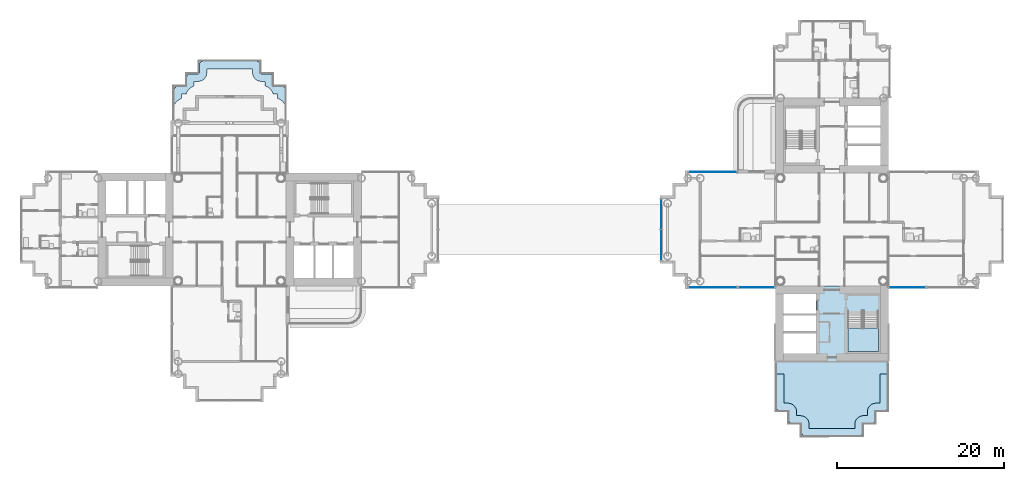
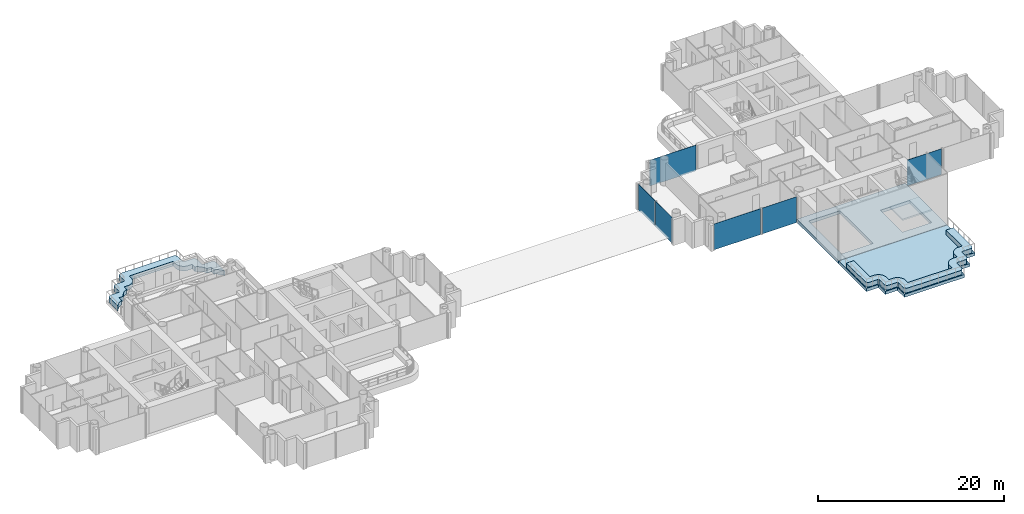
# One storey, part 8 of 22: 6 plates, 5 slabs, 6 elements without a shape of their own.
"""IFC4 building model written with IfcOpenShell, lengths in metres."""

from ifc_helpers import new_model, si_unit, direction, frame, origin, origin_2d, place, context, subcontext, project, spatial, polyline, rectangle, outline, extrude, material, layer, layer_set, type_object, element, aggregate, save


model = new_model("IFC4")

# Units and contexts
model_context = context("Model", 3, precision=1e-05, world=origin(), true_north=direction((0.0, 1.0)))
body_context = subcontext(model_context, "Body", "Model", "MODEL_VIEW")
ifc_project = project(units=[si_unit("LENGTHUNIT", "METRE"), si_unit("AREAUNIT", "SQUARE_METRE"), si_unit("VOLUMEUNIT", "CUBIC_METRE"), si_unit("PLANEANGLEUNIT", "RADIAN"), si_unit("MASSUNIT", "GRAM", prefix="KILO")], contexts=[model_context])

# Site, building, storey
site_placement = place(None, origin())
site = spatial("IfcSite", under=ifc_project, at=site_placement, CompositionType="ELEMENT")
building_placement = place(site_placement, origin())
building = spatial("IfcBuilding", under=site, at=building_placement, Name="Ipe Terrace Towers", CompositionType="ELEMENT")
storey_placement = place(building_placement, frame((0.0, 0.0, 76.60009765625)))
storey = spatial("IfcBuildingStorey", under=building, at=storey_placement, Name="L20", CompositionType="ELEMENT", Elevation=76.60009765625)

# Slab
ifc_material_1 = material(Name="Concrete C30/37", Category="concrete")
ifc_layer_1 = layer(ifc_material_1, 0.39990234375)
ifc_layer_set_1 = layer_set([ifc_layer_1], Name="CORE FLOOR SLAB 400 C30-37")
slab_type_1 = type_object("IfcSlabType", Name="CORE FLOOR SLAB 400 C30-37", PredefinedType="FLOOR", material=ifc_layer_set_1)
slab_1_placement = place(storey_placement, frame((0.0, 0.0, -0.400146484375)))
element("IfcSlab", 1, at=slab_1_placement, inside=storey, type_object=slab_type_1, Name="Core floor T2-C2", PredefinedType="FLOOR", context=body_context, shape_type="SweptSolid", body=[
    extrude(outline(polyline([(29.25, -15.75), (29.25, -6.75), (42.75, -6.75), (42.75, -15.75), (29.25, -15.75)]), holes=[polyline([(34.10009765625, -14.800048828125), (34.10009765625, -7.699951171875), (30.199951171875, -7.699951171875), (30.199951171875, -14.800048828125), (34.10009765625, -14.800048828125)]), polyline([(41.550048828125, -9.800048828125), (37.89990234375, -9.800048828125), (37.89990234375, -14.550048828125), (41.550048828125, -14.550048828125), (41.550048828125, -9.800048828125)])]), origin(), (0.0, 0.0, 1.0), 0.400146484375),
])

# Stair, slab
ifc_material_2 = material(Name="Concrete C30/37", Category="concrete")
stair_type = type_object("IfcStairType", Name="Protected exit stair", PredefinedType="HALF_TURN_STAIR", material=ifc_material_2)
stair_placement = place(storey_placement, origin())
stair = element("IfcStair", 2, at=stair_placement, inside=storey, type_object=stair_type, Name="L20 Exit stair T2-C2", PredefinedType="HALF_TURN_STAIR")
ifc_material_3 = material(Name="Concrete C30/37", Category="concrete")
ifc_layer_2 = layer(ifc_material_3, 0.199951171875)
ifc_layer_set_2 = layer_set([ifc_layer_2], Name="Exit stair landing 200")
slab_type_2 = type_object("IfcSlabType", Name="Exit stair landing 200", PredefinedType="LANDING", material=ifc_layer_set_2)
slab_2_placement = place(storey_placement, frame((0.0, 0.0, 1.5)))
slab_2 = element("IfcSlab", 3, at=slab_2_placement, type_object=slab_type_2, Name="T2-ST2 landing 1", PredefinedType="LANDING", context=body_context, shape_type="SweptSolid", body=[
    extrude(outline(polyline([(37.89990234375, -11.780029296875), (37.89990234375, -14.550048828125), (41.550048828125, -14.550048828125), (41.550048828125, -11.780029296875), (37.89990234375, -11.780029296875)])), origin(), (0.0, 0.0, 1.0), 0.199951171875),
])
aggregate(stair, [slab_2])

# Slabs
ifc_material_4 = material(Name="Concrete C40/50", Category="concrete")
ifc_layer_3 = layer(ifc_material_4, 0.39990234375)
ifc_layer_set_3 = layer_set([ifc_layer_3], Name="TERRACE DECK SLAB 400 C40-50")
slab_type_3 = type_object("IfcSlabType", Name="TERRACE DECK SLAB 400 C40-50", PredefinedType="FLOOR", material=ifc_layer_set_3)
slab_3_placement = place(storey_placement, frame((0.0, 0.0, -0.420166015625)))
element("IfcSlab", 4, at=slab_3_placement, inside=storey, type_object=slab_type_3, Name="Slab T2-TD-L20-1", PredefinedType="FLOOR", context=body_context, shape_type="SweptSolid", body=[
    extrude(outline(polyline([(29.2548828125, -21.7451171875), (29.2548828125, -15.7548828125), (42.7451171875, -15.7548828125), (42.7451171875, -21.7451171875), (41.2451171875, -21.7451171875), (41.2451171875, -23.2451171875), (39.7451171875, -23.2451171875), (39.7451171875, -24.7451171875), (32.2548828125, -24.7451171875), (32.2548828125, -23.2451171875), (30.7548828125, -23.2451171875), (30.7548828125, -21.7451171875), (29.2548828125, -21.7451171875)])), origin(), (0.0, 0.0, 1.0), 0.400146484375),
])
ifc_material_5 = material(Name="Concrete C30/37", Category="concrete")
ifc_layer_4 = layer(ifc_material_5, 0.60009765625)
ifc_layer_set_4 = layer_set([ifc_layer_4], Name="TERRACE PLANTING BED 900 x 600")
slab_type_4 = type_object("IfcSlabType", Name="TERRACE PLANTING BED 900 x 600", PredefinedType="USERDEFINED", material=ifc_layer_set_4)
slab_4_placement = place(storey_placement, frame((0.0, 0.0, -0.02001953125)))
element("IfcSlab", 5, at=slab_4_placement, inside=storey, type_object=slab_type_4, Name="planter", ObjectType="PLANTER", PredefinedType="USERDEFINED", context=body_context, shape_type="SweptSolid", body=[
    extrude(outline(polyline([(-41.739990234375, 16.22998046875), (-41.739990234375, 16.239990234375), (-41.72998046875, 16.239990234375), (-41.2490234375, 16.239990234375), (-41.22900390625, 16.239990234375), (-41.18603515625, 16.242919921875), (-41.154052734375, 16.33203125), (-41.091064453125, 16.467041015625), (-41.013916015625, 16.593994140625), (-40.925048828125, 16.714111328125), (-40.824951171875, 16.824951171875), (-40.714111328125, 16.925048828125), (-40.593994140625, 17.013916015625), (-40.467041015625, 17.091064453125), (-40.33203125, 17.154052734375), (-40.242919921875, 17.18603515625), (-40.239990234375, 17.22900390625), (-40.239990234375, 17.2490234375), (-40.239990234375, 17.72998046875), (-40.239990234375, 17.739990234375), (-40.22998046875, 17.739990234375), (-39.7490234375, 17.739990234375), (-39.72900390625, 17.739990234375), (-39.6708984375, 17.742919921875), (-39.632080078125, 17.7470703125), (-39.572021484375, 17.756103515625), (-39.533935546875, 17.763916015625), (-39.47607421875, 17.778076171875), (-39.43798828125, 17.7900390625), (-39.382080078125, 17.81005859375), (-39.345947265625, 17.824951171875), (-39.291015625, 17.85009765625), (-39.257080078125, 17.868896484375), (-39.205078125, 17.89990234375), (-39.173095703125, 17.9208984375), (-39.125, 17.95703125), (-39.093994140625, 17.98193359375), (-39.050048828125, 18.02197265625), (-39.02197265625, 18.050048828125), (-38.98193359375, 18.093994140625), (-38.95703125, 18.125), (-38.9208984375, 18.173095703125), (-38.89990234375, 18.205078125), (-38.868896484375, 18.257080078125), (-38.85009765625, 18.291015625), (-38.824951171875, 18.345947265625), (-38.81005859375, 18.382080078125), (-38.7900390625, 18.43798828125), (-38.778076171875, 18.47607421875), (-38.763916015625, 18.533935546875), (-38.756103515625, 18.572021484375), (-38.7470703125, 18.632080078125), (-38.742919921875, 18.6708984375), (-38.739990234375, 18.72900390625), (-38.739990234375, 18.7490234375), (-38.739990234375, 19.22998046875), (-38.739990234375, 19.239990234375), (-38.72998046875, 19.239990234375), (-33.27001953125, 19.239990234375), (-33.260009765625, 19.239990234375), (-33.260009765625, 19.22998046875), (-33.260009765625, 18.7490234375), (-33.260009765625, 18.72900390625), (-33.257080078125, 18.6708984375), (-33.2529296875, 18.632080078125), (-33.243896484375, 18.572021484375), (-33.236083984375, 18.533935546875), (-33.221923828125, 18.47607421875), (-33.2099609375, 18.43798828125), (-33.18994140625, 18.382080078125), (-33.175048828125, 18.345947265625), (-33.14990234375, 18.291015625), (-33.131103515625, 18.257080078125), (-33.10009765625, 18.205078125), (-33.0791015625, 18.173095703125), (-33.04296875, 18.125), (-33.01806640625, 18.093994140625), (-32.97802734375, 18.050048828125), (-32.949951171875, 18.02197265625), (-32.906005859375, 17.98193359375), (-32.875, 17.95703125), (-32.826904296875, 17.9208984375), (-32.794921875, 17.89990234375), (-32.742919921875, 17.868896484375), (-32.708984375, 17.85009765625), (-32.654052734375, 17.824951171875), (-32.617919921875, 17.81005859375), (-32.56201171875, 17.7900390625), (-32.52392578125, 17.778076171875), (-32.466064453125, 17.763916015625), (-32.427978515625, 17.756103515625), (-32.367919921875, 17.7470703125), (-32.3291015625, 17.742919921875), (-32.27099609375, 17.739990234375), (-32.2509765625, 17.739990234375), (-31.77001953125, 17.739990234375), (-31.760009765625, 17.739990234375), (-31.760009765625, 17.72998046875), (-31.760009765625, 17.2490234375), (-31.760009765625, 17.22900390625), (-31.757080078125, 17.18603515625), (-31.66796875, 17.154052734375), (-31.532958984375, 17.091064453125), (-31.406005859375, 17.013916015625), (-31.285888671875, 16.925048828125), (-31.175048828125, 16.824951171875), (-31.074951171875, 16.714111328125), (-30.986083984375, 16.593994140625), (-30.908935546875, 16.467041015625), (-30.845947265625, 16.33203125), (-30.81396484375, 16.242919921875), (-30.77099609375, 16.239990234375), (-30.7509765625, 16.239990234375), (-30.27001953125, 16.239990234375), (-30.260009765625, 16.239990234375), (-30.260009765625, 16.22998046875), (-30.260009765625, 15.68701171875), (-30.16796875, 15.654052734375), (-30.032958984375, 15.591064453125), (-29.906005859375, 15.513916015625), (-29.785888671875, 15.425048828125), (-29.675048828125, 15.324951171875), (-29.574951171875, 15.214111328125), (-29.486083984375, 15.093994140625), (-29.408935546875, 14.967041015625), (-29.360107421875, 14.862060546875), (-29.360107421875, 16.739990234375), (-29.362060546875, 16.779052734375), (-29.367919921875, 16.818115234375), (-29.376953125, 16.85595703125), (-29.389892578125, 16.89306640625), (-29.406982421875, 16.928955078125), (-29.427001953125, 16.9619140625), (-29.450927734375, 16.993896484375), (-29.47705078125, 17.02294921875), (-29.506103515625, 17.049072265625), (-29.5380859375, 17.072998046875), (-29.571044921875, 17.093017578125), (-29.60693359375, 17.110107421875), (-29.64404296875, 17.123046875), (-29.681884765625, 17.132080078125), (-29.720947265625, 17.137939453125), (-29.760009765625, 17.139892578125), (-30.73388671875, 17.139892578125), (-30.743896484375, 17.139892578125), (-30.7509765625, 17.14111328125), (-30.76611328125, 17.14208984375), (-30.777099609375, 17.14404296875), (-30.787109375, 17.14697265625), (-30.797119140625, 17.15087890625), (-30.805908203125, 17.156005859375), (-30.81494140625, 17.162109375), (-30.822998046875, 17.1689453125), (-30.8310546875, 17.177001953125), (-30.837890625, 17.18505859375), (-30.843994140625, 17.194091796875), (-30.84912109375, 17.202880859375), (-30.85302734375, 17.212890625), (-30.85595703125, 17.222900390625), (-30.85791015625, 17.23388671875), (-30.85888671875, 17.2490234375), (-30.860107421875, 17.256103515625), (-30.860107421875, 17.26611328125), (-30.860107421875, 18.239990234375), (-30.862060546875, 18.279052734375), (-30.867919921875, 18.318115234375), (-30.876953125, 18.35595703125), (-30.889892578125, 18.39306640625), (-30.906982421875, 18.428955078125), (-30.927001953125, 18.4619140625), (-30.950927734375, 18.493896484375), (-30.97705078125, 18.52294921875), (-31.006103515625, 18.549072265625), (-31.0380859375, 18.572998046875), (-31.071044921875, 18.593017578125), (-31.10693359375, 18.610107421875), (-31.14404296875, 18.623046875), (-31.181884765625, 18.632080078125), (-31.220947265625, 18.637939453125), (-31.260009765625, 18.639892578125), (-32.23388671875, 18.639892578125), (-32.243896484375, 18.639892578125), (-32.2509765625, 18.64111328125), (-32.26611328125, 18.64208984375), (-32.277099609375, 18.64404296875), (-32.287109375, 18.64697265625), (-32.297119140625, 18.65087890625), (-32.305908203125, 18.656005859375), (-32.31494140625, 18.662109375), (-32.322998046875, 18.6689453125), (-32.3310546875, 18.677001953125), (-32.337890625, 18.68505859375), (-32.343994140625, 18.694091796875), (-32.34912109375, 18.702880859375), (-32.35302734375, 18.712890625), (-32.35595703125, 18.722900390625), (-32.35791015625, 18.73388671875), (-32.35888671875, 18.7490234375), (-32.360107421875, 18.756103515625), (-32.360107421875, 18.76611328125), (-32.360107421875, 19.739990234375), (-32.362060546875, 19.779052734375), (-32.367919921875, 19.818115234375), (-32.376953125, 19.85595703125), (-32.389892578125, 19.89306640625), (-32.406982421875, 19.928955078125), (-32.427001953125, 19.9619140625), (-32.450927734375, 19.993896484375), (-32.47705078125, 20.02294921875), (-32.506103515625, 20.049072265625), (-32.5380859375, 20.072998046875), (-32.571044921875, 20.093017578125), (-32.60693359375, 20.110107421875), (-32.64404296875, 20.123046875), (-32.681884765625, 20.132080078125), (-32.720947265625, 20.137939453125), (-32.760009765625, 20.139892578125), (-39.239990234375, 20.139892578125), (-39.279052734375, 20.137939453125), (-39.318115234375, 20.132080078125), (-39.35595703125, 20.123046875), (-39.39306640625, 20.110107421875), (-39.428955078125, 20.093017578125), (-39.4619140625, 20.072998046875), (-39.493896484375, 20.049072265625), (-39.52294921875, 20.02294921875), (-39.549072265625, 19.993896484375), (-39.572998046875, 19.9619140625), (-39.593017578125, 19.928955078125), (-39.610107421875, 19.89306640625), (-39.623046875, 19.85595703125), (-39.632080078125, 19.818115234375), (-39.637939453125, 19.779052734375), (-39.639892578125, 19.739990234375), (-39.639892578125, 18.76611328125), (-39.639892578125, 18.756103515625), (-39.64111328125, 18.7490234375), (-39.64208984375, 18.73388671875), (-39.64404296875, 18.722900390625), (-39.64697265625, 18.712890625), (-39.65087890625, 18.702880859375), (-39.656005859375, 18.694091796875), (-39.662109375, 18.68505859375), (-39.6689453125, 18.677001953125), (-39.677001953125, 18.6689453125), (-39.68505859375, 18.662109375), (-39.694091796875, 18.656005859375), (-39.702880859375, 18.65087890625), (-39.712890625, 18.64697265625), (-39.722900390625, 18.64404296875), (-39.73388671875, 18.64208984375), (-39.7490234375, 18.64111328125), (-39.756103515625, 18.639892578125), (-39.76611328125, 18.639892578125), (-40.739990234375, 18.639892578125), (-40.779052734375, 18.637939453125), (-40.818115234375, 18.632080078125), (-40.85595703125, 18.623046875), (-40.89306640625, 18.610107421875), (-40.928955078125, 18.593017578125), (-40.9619140625, 18.572998046875), (-40.993896484375, 18.549072265625), (-41.02294921875, 18.52294921875), (-41.049072265625, 18.493896484375), (-41.072998046875, 18.4619140625), (-41.093017578125, 18.428955078125), (-41.110107421875, 18.39306640625), (-41.123046875, 18.35595703125), (-41.132080078125, 18.318115234375), (-41.137939453125, 18.279052734375), (-41.139892578125, 18.239990234375), (-41.139892578125, 17.26611328125), (-41.139892578125, 17.256103515625), (-41.14111328125, 17.2490234375), (-41.14208984375, 17.23388671875), (-41.14404296875, 17.222900390625), (-41.14697265625, 17.212890625), (-41.15087890625, 17.202880859375), (-41.156005859375, 17.194091796875), (-41.162109375, 17.18505859375), (-41.1689453125, 17.177001953125), (-41.177001953125, 17.1689453125), (-41.18505859375, 17.162109375), (-41.194091796875, 17.156005859375), (-41.202880859375, 17.15087890625), (-41.212890625, 17.14697265625), (-41.222900390625, 17.14404296875), (-41.23388671875, 17.14208984375), (-41.2490234375, 17.14111328125), (-41.256103515625, 17.139892578125), (-41.26611328125, 17.139892578125), (-42.239990234375, 17.139892578125), (-42.279052734375, 17.137939453125), (-42.318115234375, 17.132080078125), (-42.35595703125, 17.123046875), (-42.39306640625, 17.110107421875), (-42.428955078125, 17.093017578125), (-42.4619140625, 17.072998046875), (-42.493896484375, 17.049072265625), (-42.52294921875, 17.02294921875), (-42.549072265625, 16.993896484375), (-42.572998046875, 16.9619140625), (-42.593017578125, 16.928955078125), (-42.610107421875, 16.89306640625), (-42.623046875, 16.85595703125), (-42.632080078125, 16.818115234375), (-42.637939453125, 16.779052734375), (-42.639892578125, 16.739990234375), (-42.639892578125, 14.862060546875), (-42.591064453125, 14.967041015625), (-42.513916015625, 15.093994140625), (-42.425048828125, 15.214111328125), (-42.324951171875, 15.324951171875), (-42.214111328125, 15.425048828125), (-42.093994140625, 15.513916015625), (-41.967041015625, 15.591064453125), (-41.83203125, 15.654052734375), (-41.739990234375, 15.68701171875), (-41.739990234375, 16.22998046875)])), origin(), (0.0, 0.0, 1.0), 0.599853515625),
])
slab_5_placement = place(storey_placement, frame((0.0, 0.0, -0.02001953125)))
element("IfcSlab", 6, at=slab_5_placement, inside=storey, type_object=slab_type_4, Name="planter", ObjectType="PLANTER", PredefinedType="USERDEFINED", context=body_context, shape_type="SweptSolid", body=[
    extrude(outline(polyline([(30.260009765625, -20.739990234375), (30.260009765625, -20.72998046875), (30.260009765625, -17.27001953125), (29.360107421875, -17.27001953125), (29.360107421875, -21.239990234375), (29.362060546875, -21.279052734375), (29.367919921875, -21.318115234375), (29.376953125, -21.35595703125), (29.389892578125, -21.39306640625), (29.406982421875, -21.428955078125), (29.427001953125, -21.4619140625), (29.450927734375, -21.493896484375), (29.47705078125, -21.52294921875), (29.506103515625, -21.549072265625), (29.5380859375, -21.572998046875), (29.571044921875, -21.593017578125), (29.60693359375, -21.610107421875), (29.64404296875, -21.623046875), (29.681884765625, -21.632080078125), (29.720947265625, -21.637939453125), (29.760009765625, -21.639892578125), (30.73388671875, -21.639892578125), (30.743896484375, -21.639892578125), (30.7509765625, -21.64111328125), (30.76611328125, -21.64208984375), (30.777099609375, -21.64404296875), (30.787109375, -21.64697265625), (30.797119140625, -21.65087890625), (30.805908203125, -21.656005859375), (30.81494140625, -21.662109375), (30.822998046875, -21.6689453125), (30.8310546875, -21.677001953125), (30.837890625, -21.68505859375), (30.843994140625, -21.694091796875), (30.84912109375, -21.702880859375), (30.85302734375, -21.712890625), (30.85595703125, -21.722900390625), (30.85791015625, -21.73388671875), (30.85888671875, -21.7490234375), (30.860107421875, -21.756103515625), (30.860107421875, -21.76611328125), (30.860107421875, -22.739990234375), (30.862060546875, -22.779052734375), (30.867919921875, -22.818115234375), (30.876953125, -22.85595703125), (30.889892578125, -22.89306640625), (30.906982421875, -22.928955078125), (30.927001953125, -22.9619140625), (30.950927734375, -22.993896484375), (30.97705078125, -23.02294921875), (31.006103515625, -23.049072265625), (31.0380859375, -23.072998046875), (31.071044921875, -23.093017578125), (31.10693359375, -23.110107421875), (31.14404296875, -23.123046875), (31.181884765625, -23.132080078125), (31.220947265625, -23.137939453125), (31.260009765625, -23.139892578125), (32.23388671875, -23.139892578125), (32.243896484375, -23.139892578125), (32.2509765625, -23.14111328125), (32.26611328125, -23.14208984375), (32.277099609375, -23.14404296875), (32.287109375, -23.14697265625), (32.297119140625, -23.15087890625), (32.305908203125, -23.156005859375), (32.31494140625, -23.162109375), (32.322998046875, -23.1689453125), (32.3310546875, -23.177001953125), (32.337890625, -23.18505859375), (32.343994140625, -23.194091796875), (32.34912109375, -23.202880859375), (32.35302734375, -23.212890625), (32.35595703125, -23.222900390625), (32.35791015625, -23.23388671875), (32.35888671875, -23.2490234375), (32.360107421875, -23.256103515625), (32.360107421875, -23.26611328125), (32.360107421875, -24.239990234375), (32.362060546875, -24.279052734375), (32.367919921875, -24.318115234375), (32.376953125, -24.35595703125), (32.389892578125, -24.39306640625), (32.406982421875, -24.428955078125), (32.427001953125, -24.4619140625), (32.450927734375, -24.493896484375), (32.47705078125, -24.52294921875), (32.506103515625, -24.549072265625), (32.5380859375, -24.572998046875), (32.571044921875, -24.593017578125), (32.60693359375, -24.610107421875), (32.64404296875, -24.623046875), (32.681884765625, -24.632080078125), (32.720947265625, -24.637939453125), (32.760009765625, -24.639892578125), (39.239990234375, -24.639892578125), (39.279052734375, -24.637939453125), (39.318115234375, -24.632080078125), (39.35595703125, -24.623046875), (39.39306640625, -24.610107421875), (39.428955078125, -24.593017578125), (39.4619140625, -24.572998046875), (39.493896484375, -24.549072265625), (39.52294921875, -24.52294921875), (39.549072265625, -24.493896484375), (39.572998046875, -24.4619140625), (39.593017578125, -24.428955078125), (39.610107421875, -24.39306640625), (39.623046875, -24.35595703125), (39.632080078125, -24.318115234375), (39.637939453125, -24.279052734375), (39.639892578125, -24.239990234375), (39.639892578125, -23.26611328125), (39.639892578125, -23.256103515625), (39.64111328125, -23.2490234375), (39.64208984375, -23.23388671875), (39.64404296875, -23.222900390625), (39.64697265625, -23.212890625), (39.65087890625, -23.202880859375), (39.656005859375, -23.194091796875), (39.662109375, -23.18505859375), (39.6689453125, -23.177001953125), (39.677001953125, -23.1689453125), (39.68505859375, -23.162109375), (39.694091796875, -23.156005859375), (39.702880859375, -23.15087890625), (39.712890625, -23.14697265625), (39.722900390625, -23.14404296875), (39.73388671875, -23.14208984375), (39.7490234375, -23.14111328125), (39.756103515625, -23.139892578125), (39.76611328125, -23.139892578125), (40.739990234375, -23.139892578125), (40.779052734375, -23.137939453125), (40.818115234375, -23.132080078125), (40.85595703125, -23.123046875), (40.89306640625, -23.110107421875), (40.928955078125, -23.093017578125), (40.9619140625, -23.072998046875), (40.993896484375, -23.049072265625), (41.02294921875, -23.02294921875), (41.049072265625, -22.993896484375), (41.072998046875, -22.9619140625), (41.093017578125, -22.928955078125), (41.110107421875, -22.89306640625), (41.123046875, -22.85595703125), (41.132080078125, -22.818115234375), (41.137939453125, -22.779052734375), (41.139892578125, -22.739990234375), (41.139892578125, -21.76611328125), (41.139892578125, -21.756103515625), (41.14111328125, -21.7490234375), (41.14208984375, -21.73388671875), (41.14404296875, -21.722900390625), (41.14697265625, -21.712890625), (41.15087890625, -21.702880859375), (41.156005859375, -21.694091796875), (41.162109375, -21.68505859375), (41.1689453125, -21.677001953125), (41.177001953125, -21.6689453125), (41.18505859375, -21.662109375), (41.194091796875, -21.656005859375), (41.202880859375, -21.65087890625), (41.212890625, -21.64697265625), (41.222900390625, -21.64404296875), (41.23388671875, -21.64208984375), (41.2490234375, -21.64111328125), (41.256103515625, -21.639892578125), (41.26611328125, -21.639892578125), (42.239990234375, -21.639892578125), (42.279052734375, -21.637939453125), (42.318115234375, -21.632080078125), (42.35595703125, -21.623046875), (42.39306640625, -21.610107421875), (42.428955078125, -21.593017578125), (42.4619140625, -21.572998046875), (42.493896484375, -21.549072265625), (42.52294921875, -21.52294921875), (42.549072265625, -21.493896484375), (42.572998046875, -21.4619140625), (42.593017578125, -21.428955078125), (42.610107421875, -21.39306640625), (42.623046875, -21.35595703125), (42.632080078125, -21.318115234375), (42.637939453125, -21.279052734375), (42.639892578125, -21.239990234375), (42.639892578125, -17.27001953125), (41.739990234375, -17.27001953125), (41.739990234375, -20.72998046875), (41.739990234375, -20.739990234375), (41.72998046875, -20.739990234375), (41.2490234375, -20.739990234375), (41.22900390625, -20.739990234375), (41.1708984375, -20.742919921875), (41.132080078125, -20.7470703125), (41.072021484375, -20.756103515625), (41.033935546875, -20.763916015625), (40.97607421875, -20.778076171875), (40.93798828125, -20.7900390625), (40.882080078125, -20.81005859375), (40.845947265625, -20.824951171875), (40.791015625, -20.85009765625), (40.757080078125, -20.868896484375), (40.705078125, -20.89990234375), (40.673095703125, -20.9208984375), (40.625, -20.95703125), (40.593994140625, -20.98193359375), (40.550048828125, -21.02197265625), (40.52197265625, -21.050048828125), (40.48193359375, -21.093994140625), (40.45703125, -21.125), (40.4208984375, -21.173095703125), (40.39990234375, -21.205078125), (40.368896484375, -21.257080078125), (40.35009765625, -21.291015625), (40.324951171875, -21.345947265625), (40.31005859375, -21.382080078125), (40.2900390625, -21.43798828125), (40.278076171875, -21.47607421875), (40.263916015625, -21.533935546875), (40.256103515625, -21.572021484375), (40.2470703125, -21.632080078125), (40.242919921875, -21.6708984375), (40.239990234375, -21.72900390625), (40.239990234375, -21.7490234375), (40.239990234375, -22.22998046875), (40.239990234375, -22.239990234375), (40.22998046875, -22.239990234375), (39.7490234375, -22.239990234375), (39.72900390625, -22.239990234375), (39.6708984375, -22.242919921875), (39.632080078125, -22.2470703125), (39.572021484375, -22.256103515625), (39.533935546875, -22.263916015625), (39.47607421875, -22.278076171875), (39.43798828125, -22.2900390625), (39.382080078125, -22.31005859375), (39.345947265625, -22.324951171875), (39.291015625, -22.35009765625), (39.257080078125, -22.368896484375), (39.205078125, -22.39990234375), (39.173095703125, -22.4208984375), (39.125, -22.45703125), (39.093994140625, -22.48193359375), (39.050048828125, -22.52197265625), (39.02197265625, -22.550048828125), (38.98193359375, -22.593994140625), (38.95703125, -22.625), (38.9208984375, -22.673095703125), (38.89990234375, -22.705078125), (38.868896484375, -22.757080078125), (38.85009765625, -22.791015625), (38.824951171875, -22.845947265625), (38.81005859375, -22.882080078125), (38.7900390625, -22.93798828125), (38.778076171875, -22.97607421875), (38.763916015625, -23.033935546875), (38.756103515625, -23.072021484375), (38.7470703125, -23.132080078125), (38.742919921875, -23.1708984375), (38.739990234375, -23.22900390625), (38.739990234375, -23.2490234375), (38.739990234375, -23.72998046875), (38.739990234375, -23.739990234375), (38.72998046875, -23.739990234375), (33.27001953125, -23.739990234375), (33.260009765625, -23.739990234375), (33.260009765625, -23.72998046875), (33.260009765625, -23.2490234375), (33.260009765625, -23.22900390625), (33.257080078125, -23.1708984375), (33.2529296875, -23.132080078125), (33.243896484375, -23.072021484375), (33.236083984375, -23.033935546875), (33.221923828125, -22.97607421875), (33.2099609375, -22.93798828125), (33.18994140625, -22.882080078125), (33.175048828125, -22.845947265625), (33.14990234375, -22.791015625), (33.131103515625, -22.757080078125), (33.10009765625, -22.705078125), (33.0791015625, -22.673095703125), (33.04296875, -22.625), (33.01806640625, -22.593994140625), (32.97802734375, -22.550048828125), (32.949951171875, -22.52197265625), (32.906005859375, -22.48193359375), (32.875, -22.45703125), (32.826904296875, -22.4208984375), (32.794921875, -22.39990234375), (32.742919921875, -22.368896484375), (32.708984375, -22.35009765625), (32.654052734375, -22.324951171875), (32.617919921875, -22.31005859375), (32.56201171875, -22.2900390625), (32.52392578125, -22.278076171875), (32.466064453125, -22.263916015625), (32.427978515625, -22.256103515625), (32.367919921875, -22.2470703125), (32.3291015625, -22.242919921875), (32.27099609375, -22.239990234375), (32.2509765625, -22.239990234375), (31.77001953125, -22.239990234375), (31.760009765625, -22.239990234375), (31.760009765625, -22.22998046875), (31.760009765625, -21.7490234375), (31.760009765625, -21.72900390625), (31.757080078125, -21.6708984375), (31.7529296875, -21.632080078125), (31.743896484375, -21.572021484375), (31.736083984375, -21.533935546875), (31.721923828125, -21.47607421875), (31.7099609375, -21.43798828125), (31.68994140625, -21.382080078125), (31.675048828125, -21.345947265625), (31.64990234375, -21.291015625), (31.631103515625, -21.257080078125), (31.60009765625, -21.205078125), (31.5791015625, -21.173095703125), (31.54296875, -21.125), (31.51806640625, -21.093994140625), (31.47802734375, -21.050048828125), (31.449951171875, -21.02197265625), (31.406005859375, -20.98193359375), (31.375, -20.95703125), (31.326904296875, -20.9208984375), (31.294921875, -20.89990234375), (31.242919921875, -20.868896484375), (31.208984375, -20.85009765625), (31.154052734375, -20.824951171875), (31.117919921875, -20.81005859375), (31.06201171875, -20.7900390625), (31.02392578125, -20.778076171875), (30.966064453125, -20.763916015625), (30.927978515625, -20.756103515625), (30.867919921875, -20.7470703125), (30.8291015625, -20.742919921875), (30.77099609375, -20.739990234375), (30.7509765625, -20.739990234375), (30.27001953125, -20.739990234375), (30.260009765625, -20.739990234375)])), origin(), (0.0, 0.0, 1.0), 0.599853515625),
])

# Curtain wall, plate
ifc_material_6 = material(Name="Aluminium alloy 6063-T6", Category="aluminium")
ifc_layer_5 = layer(ifc_material_6, 0.320068359375)
ifc_layer_set_5 = layer_set([ifc_layer_5], Name="TOWER UNITISED CURTAIN WALL")
curtain_wall_type = type_object("IfcCurtainWallType", Name="TOWER UNITISED CURTAIN WALL", PredefinedType="NOTDEFINED", material=ifc_layer_set_5)
curtain_wall_1_placement = place(storey_placement, origin())
curtain_wall_1 = element("IfcCurtainWall", 7, at=curtain_wall_1_placement, inside=storey, type_object=curtain_wall_type, Name="T2-CW-L20-02a curtain wall", PredefinedType="NOTDEFINED")
ifc_material_7 = material(Name="Glass, clear laminated", Category="glass")
ifc_layer_6 = layer(ifc_material_7, 0.031982421875)
ifc_layer_set_6 = layer_set([ifc_layer_6], Name="TOWER UNITISED GLASS PANEL 32")
plate_type = type_object("IfcPlateType", Name="TOWER UNITISED GLASS PANEL 32", PredefinedType="CURTAIN_PANEL", material=ifc_layer_set_6)
plate_1_placement = place(storey_placement, frame((45.0, -6.909912109375, -0.300048828125), z_axis=(0.0, 0.0, 1.0), x_axis=(1.0, 0.0, 0.0)))
plate_1 = element("IfcPlate", 8, at=plate_1_placement, type_object=plate_type, Name="T2-CW-L20-02a panel 1", PredefinedType="CURTAIN_PANEL", context=body_context, shape_type="SweptSolid", body=[
    extrude(rectangle(XDim=4.260009765625, YDim=0.031982421875, at=origin_2d()), origin(), (0.0, 0.0, 1.0), 3.39990234375),
])
aggregate(curtain_wall_1, [plate_1])

curtain_wall_2_placement = place(storey_placement, origin())
curtain_wall_2 = element("IfcCurtainWall", 9, at=curtain_wall_2_placement, inside=storey, type_object=curtain_wall_type, Name="T2-CW-L20-29a curtain wall", PredefinedType="NOTDEFINED")
plate_2_placement = place(storey_placement, frame((21.75, 6.909912109375, -0.300048828125), z_axis=(0.0, 0.0, 1.0), x_axis=(-1.0, 0.0, 0.0)))
plate_2 = element("IfcPlate", 10, at=plate_2_placement, type_object=plate_type, Name="T2-CW-L20-29a panel 1", PredefinedType="CURTAIN_PANEL", context=body_context, shape_type="SweptSolid", body=[
    extrude(rectangle(XDim=5.760009765625, YDim=0.031982421875, at=origin_2d()), origin(), (0.0, 0.0, 1.0), 3.39990234375),
])
aggregate(curtain_wall_2, [plate_2])

# Curtain wall, plates
curtain_wall_3_placement = place(storey_placement, origin())
curtain_wall_3 = element("IfcCurtainWall", 11, at=curtain_wall_3_placement, inside=storey, type_object=curtain_wall_type, Name="T2-CW-L20-34a curtain wall", PredefinedType="NOTDEFINED")
plate_3_placement = place(storey_placement, frame((15.590087890625, 1.831298828125, -0.300048828125), z_axis=(0.0, 0.0, 1.0), x_axis=(0.0, -1.0, 0.0)))
plate_3 = element("IfcPlate", 12, at=plate_3_placement, type_object=plate_type, Name="T2-CW-L20-34a panel 1", PredefinedType="CURTAIN_PANEL", context=body_context, shape_type="SweptSolid", body=[
    extrude(rectangle(XDim=3.597412109375, YDim=0.031982421875, at=origin_2d()), origin(), (0.0, 0.0, 1.0), 3.39990234375),
])
plate_4_placement = place(storey_placement, frame((15.590087890625, -1.831298828125, -0.300048828125), z_axis=(0.0, 0.0, 1.0), x_axis=(0.0, -1.0, 0.0)))
plate_4 = element("IfcPlate", 13, at=plate_4_placement, type_object=plate_type, Name="T2-CW-L20-34a panel 2", PredefinedType="CURTAIN_PANEL", context=body_context, shape_type="SweptSolid", body=[
    extrude(rectangle(XDim=3.597412109375, YDim=0.031982421875, at=origin_2d()), origin(), (0.0, 0.0, 1.0), 3.39990234375),
])
aggregate(curtain_wall_3, [plate_3, plate_4])

# Curtain wall, plate
curtain_wall_4_placement = place(storey_placement, origin())
curtain_wall_4 = element("IfcCurtainWall", 14, at=curtain_wall_4_placement, inside=storey, type_object=curtain_wall_type, Name="T2-CW-L20-39a curtain wall", PredefinedType="NOTDEFINED")
plate_5_placement = place(storey_placement, frame((21.75, -6.909912109375, -0.300048828125), z_axis=(0.0, 0.0, 1.0), x_axis=(1.0, 0.0, 0.0)))
plate_5 = element("IfcPlate", 15, at=plate_5_placement, type_object=plate_type, Name="T2-CW-L20-39a panel 1", PredefinedType="CURTAIN_PANEL", context=body_context, shape_type="SweptSolid", body=[
    extrude(rectangle(XDim=5.760009765625, YDim=0.031982421875, at=origin_2d()), origin(), (0.0, 0.0, 1.0), 3.39990234375),
])
aggregate(curtain_wall_4, [plate_5])

curtain_wall_5_placement = place(storey_placement, origin())
curtain_wall_5 = element("IfcCurtainWall", 16, at=curtain_wall_5_placement, inside=storey, type_object=curtain_wall_type, Name="T2-CW-L20-40a curtain wall", PredefinedType="NOTDEFINED")
plate_6_placement = place(storey_placement, frame((27.0, -6.909912109375, -0.300048828125), z_axis=(0.0, 0.0, 1.0), x_axis=(1.0, 0.0, 0.0)))
plate_6 = element("IfcPlate", 17, at=plate_6_placement, type_object=plate_type, Name="T2-CW-L20-40a panel 1", PredefinedType="CURTAIN_PANEL", context=body_context, shape_type="SweptSolid", body=[
    extrude(rectangle(XDim=4.260009765625, YDim=0.031982421875, at=origin_2d()), origin(), (0.0, 0.0, 1.0), 3.39990234375),
])
aggregate(curtain_wall_5, [plate_6])

save(model, "model.ifc")
